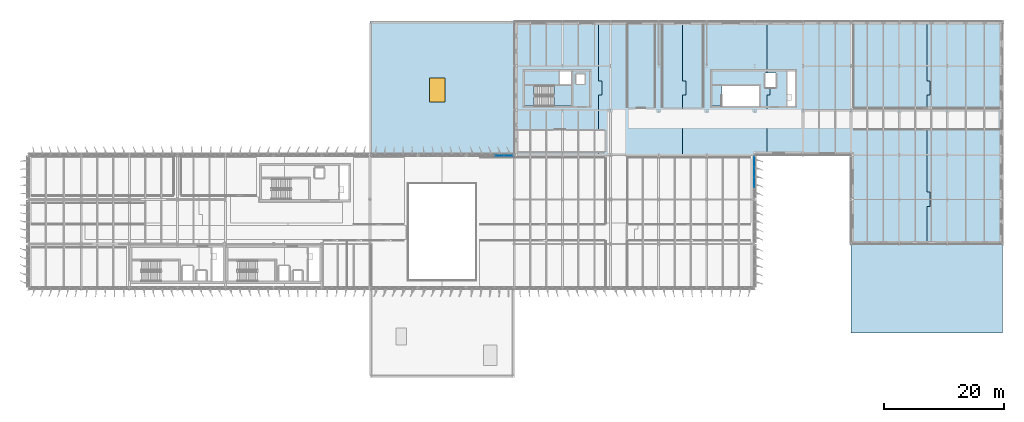
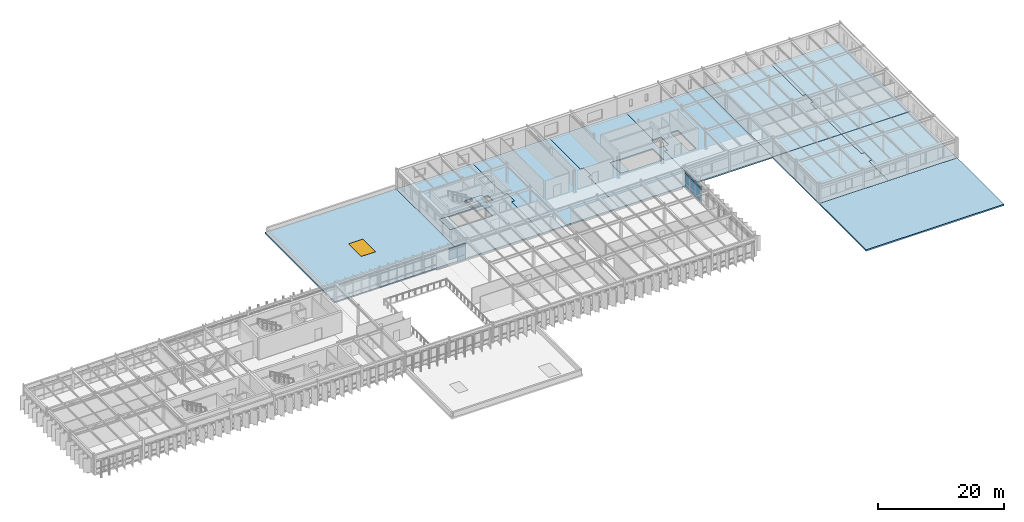
# One storey, part 34 of 56: 14 plates, 13 slabs, 1 window, 1 opening, 3 elements without a shape of their own.
"""IFC4 building model written with IfcOpenShell, lengths in metres."""

from ifc_helpers import new_model, si_unit, direction, frame, origin, origin_2d, place, context, subcontext, project, spatial, polyline, rectangle, outline, extrude, material, layer, layer_set, type_object, element, fill, aggregate, save


model = new_model("IFC4")

# Units and contexts
model_context = context("Model", 3, precision=1e-05, world=origin(), true_north=direction((0.0, 1.0)))
body_context = subcontext(model_context, "Body", "Model", "MODEL_VIEW")
ifc_project = project(units=[si_unit("LENGTHUNIT", "METRE"), si_unit("AREAUNIT", "SQUARE_METRE"), si_unit("VOLUMEUNIT", "CUBIC_METRE"), si_unit("PLANEANGLEUNIT", "RADIAN"), si_unit("MASSUNIT", "GRAM", prefix="KILO")], contexts=[model_context])

# Site, building, storey
site_placement = place(None, origin())
site = spatial("IfcSite", under=ifc_project, at=site_placement, CompositionType="ELEMENT")
building_placement = place(site_placement, origin())
building = spatial("IfcBuilding", under=site, at=building_placement, Name="Valkorina Park Police Headquarters", CompositionType="ELEMENT")
storey_placement = place(building_placement, frame((0.0, 0.0, 14.10009765625)))
storey = spatial("IfcBuildingStorey", under=building, at=storey_placement, Name="L04", CompositionType="ELEMENT", Elevation=14.10009765625)

# Curtain wall, plate
ifc_material_1 = material(Name="Thermally broken aluminium AW-6060", Category="aluminium")
ifc_layer_1 = layer(ifc_material_1, 0.18994140625)
ifc_layer_set_1 = layer_set([ifc_layer_1], Name="Thermally broken aluminium AW-6060")
curtain_wall_type_1 = type_object("IfcCurtainWallType", Name="CW-V5-7620x3180", PredefinedType="NOTDEFINED", material=ifc_layer_set_1)
curtain_wall_1_placement = place(storey_placement, origin())
curtain_wall_1 = element("IfcCurtainWall", 1, at=curtain_wall_1_placement, inside=storey, type_object=curtain_wall_type_1, Name="L04 Unitised Curtain Wall 039", PredefinedType="NOTDEFINED")
ifc_layer_2 = layer(ifc_material_1, 0.050048828125)
ifc_layer_set_2 = layer_set([ifc_layer_2], Name="Thermally broken aluminium AW-6060")
plate_type_1 = type_object("IfcPlateType", Name="PL-CWP-SPANDREL-50", PredefinedType="CURTAIN_PANEL", material=ifc_layer_set_2)
plate_1_placement = place(storey_placement, frame((79.832275390625, 59.080078125, 0.06982421875), z_axis=(0.0, 0.0, 1.0), x_axis=(1.0, 0.0, 0.0)))
plate_1 = element("IfcPlate", 2, at=plate_1_placement, type_object=plate_type_1, Name="CW-V5-762-318 panel 5.1", PredefinedType="CURTAIN_PANEL", context=body_context, shape_type="SweptSolid", body=[
    extrude(rectangle(XDim=1.419921875, YDim=0.028076171875, at=origin_2d()), origin(), (0.0, 0.0, 1.0), 0.794921875),
])

# Curtain wall, plates
ifc_layer_3 = layer(ifc_material_1, 0.18994140625)
ifc_layer_set_3 = layer_set([ifc_layer_3], Name="Thermally broken aluminium AW-6060")
curtain_wall_type_2 = type_object("IfcCurtainWallType", Name="CW-V5-6930x3110", PredefinedType="NOTDEFINED", material=ifc_layer_set_3)
curtain_wall_2_placement = place(storey_placement, origin())
curtain_wall_2 = element("IfcCurtainWall", 3, at=curtain_wall_2_placement, inside=storey, type_object=curtain_wall_type_2, Name="L04 Unitised Curtain Wall 040", PredefinedType="NOTDEFINED")
plate_2_placement = place(storey_placement, frame((120.679931640625, 58.081298828125, 0.06982421875), z_axis=(0.0, 0.0, 1.0), x_axis=(0.0, -1.0, 0.0)))
plate_2 = element("IfcPlate", 4, at=plate_2_placement, type_object=plate_type_1, Name="CW-V5-693-311 panel 1.1", PredefinedType="CURTAIN_PANEL", context=body_context, shape_type="SweptSolid", body=[
    extrude(rectangle(XDim=1.62744140625, YDim=0.028076171875, at=origin_2d()), origin(), (0.0, 0.0, 1.0), 0.794921875),
])
plate_3_placement = place(storey_placement, frame((120.679931640625, 56.3662109375, 0.06982421875), z_axis=(0.0, 0.0, 1.0), x_axis=(0.0, -1.0, 0.0)))
plate_3 = element("IfcPlate", 5, at=plate_3_placement, type_object=plate_type_1, Name="CW-V5-693-311 panel 2.1", PredefinedType="CURTAIN_PANEL", context=body_context, shape_type="SweptSolid", body=[
    extrude(rectangle(XDim=1.66259765625, YDim=0.028076171875, at=origin_2d()), origin(), (0.0, 0.0, 1.0), 0.794921875),
])
plate_4_placement = place(storey_placement, frame((120.679931640625, 54.6337890625, 0.06982421875), z_axis=(0.0, 0.0, 1.0), x_axis=(0.0, -1.0, 0.0)))
plate_4 = element("IfcPlate", 6, at=plate_4_placement, type_object=plate_type_1, Name="CW-V5-693-311 panel 3.1", PredefinedType="CURTAIN_PANEL", context=body_context, shape_type="SweptSolid", body=[
    extrude(rectangle(XDim=1.66259765625, YDim=0.028076171875, at=origin_2d()), origin(), (0.0, 0.0, 1.0), 0.794921875),
])

# Plate
ifc_material_2 = material(Name="Triple low-E insulated glazing", Category="glass")
ifc_layer_4 = layer(ifc_material_2, 0.028076171875)
ifc_layer_set_4 = layer_set([ifc_layer_4], Name="Triple low-E insulated glazing")
plate_type_2 = type_object("IfcPlateType", Name="PL-CWP-VISION-28", PredefinedType="CURTAIN_PANEL", material=ifc_layer_set_4)
plate_5_placement = place(storey_placement, frame((78.324951171875, 59.080078125, 0.934814453125), z_axis=(0.0, 0.0, 1.0), x_axis=(1.0, 0.0, 0.0)))
plate_5 = element("IfcPlate", 7, at=plate_5_placement, type_object=plate_type_2, Name="CW-V5-762-318 panel 4.2", PredefinedType="CURTAIN_PANEL", context=body_context, shape_type="SweptSolid", body=[
    extrude(rectangle(XDim=1.454833984375, YDim=0.028076171875, at=origin_2d()), origin(), (0.0, 0.0, 1.0), 1.68994140625),
])

plate_6_placement = place(storey_placement, frame((78.324951171875, 59.080078125, 2.69482421875), z_axis=(0.0, 0.0, 1.0), x_axis=(1.0, 0.0, 0.0)))
plate_6 = element("IfcPlate", 8, at=plate_6_placement, type_object=plate_type_2, Name="CW-V5-762-318 panel 4.3", PredefinedType="CURTAIN_PANEL", context=body_context, shape_type="SweptSolid", body=[
    extrude(rectangle(XDim=1.454833984375, YDim=0.028076171875, at=origin_2d()), origin(), (0.0, 0.0, 1.0), 0.4150390625),
])

plate_7_placement = place(storey_placement, frame((79.832275390625, 59.080078125, 0.934814453125), z_axis=(0.0, 0.0, 1.0), x_axis=(1.0, 0.0, 0.0)))
plate_7 = element("IfcPlate", 9, at=plate_7_placement, type_object=plate_type_2, Name="CW-V5-762-318 panel 5.2", PredefinedType="CURTAIN_PANEL", context=body_context, shape_type="SweptSolid", body=[
    extrude(rectangle(XDim=1.419921875, YDim=0.028076171875, at=origin_2d()), origin(), (0.0, 0.0, 1.0), 1.68994140625),
])

plate_8_placement = place(storey_placement, frame((79.832275390625, 59.080078125, 2.69482421875), z_axis=(0.0, 0.0, 1.0), x_axis=(1.0, 0.0, 0.0)))
plate_8 = element("IfcPlate", 10, at=plate_8_placement, type_object=plate_type_2, Name="CW-V5-762-318 panel 5.3", PredefinedType="CURTAIN_PANEL", context=body_context, shape_type="SweptSolid", body=[
    extrude(rectangle(XDim=1.419921875, YDim=0.028076171875, at=origin_2d()), origin(), (0.0, 0.0, 1.0), 0.4150390625),
])

aggregate(curtain_wall_1, [plate_5, plate_6, plate_1, plate_7, plate_8])

plate_9_placement = place(storey_placement, frame((120.679931640625, 58.081298828125, 0.934814453125), z_axis=(0.0, 0.0, 1.0), x_axis=(0.0, -1.0, 0.0)))
plate_9 = element("IfcPlate", 11, at=plate_9_placement, type_object=plate_type_2, Name="CW-V5-693-311 panel 1.2", PredefinedType="CURTAIN_PANEL", context=body_context, shape_type="SweptSolid", body=[
    extrude(rectangle(XDim=1.62744140625, YDim=0.028076171875, at=origin_2d()), origin(), (0.0, 0.0, 1.0), 1.6201171875),
])

plate_10_placement = place(storey_placement, frame((120.679931640625, 58.081298828125, 2.625), z_axis=(0.0, 0.0, 1.0), x_axis=(0.0, -1.0, 0.0)))
plate_10 = element("IfcPlate", 12, at=plate_10_placement, type_object=plate_type_2, Name="CW-V5-693-311 panel 1.3", PredefinedType="CURTAIN_PANEL", context=body_context, shape_type="SweptSolid", body=[
    extrude(rectangle(XDim=1.62744140625, YDim=0.028076171875, at=origin_2d()), origin(), (0.0, 0.0, 1.0), 0.4150390625),
])

plate_11_placement = place(storey_placement, frame((120.679931640625, 56.3662109375, 0.934814453125), z_axis=(0.0, 0.0, 1.0), x_axis=(0.0, -1.0, 0.0)))
plate_11 = element("IfcPlate", 13, at=plate_11_placement, type_object=plate_type_2, Name="CW-V5-693-311 panel 2.2", PredefinedType="CURTAIN_PANEL", context=body_context, shape_type="SweptSolid", body=[
    extrude(rectangle(XDim=1.66259765625, YDim=0.028076171875, at=origin_2d()), origin(), (0.0, 0.0, 1.0), 1.6201171875),
])

plate_12_placement = place(storey_placement, frame((120.679931640625, 56.3662109375, 2.625), z_axis=(0.0, 0.0, 1.0), x_axis=(0.0, -1.0, 0.0)))
plate_12 = element("IfcPlate", 14, at=plate_12_placement, type_object=plate_type_2, Name="CW-V5-693-311 panel 2.3", PredefinedType="CURTAIN_PANEL", context=body_context, shape_type="SweptSolid", body=[
    extrude(rectangle(XDim=1.66259765625, YDim=0.028076171875, at=origin_2d()), origin(), (0.0, 0.0, 1.0), 0.4150390625),
])

plate_13_placement = place(storey_placement, frame((120.679931640625, 54.6337890625, 0.934814453125), z_axis=(0.0, 0.0, 1.0), x_axis=(0.0, -1.0, 0.0)))
plate_13 = element("IfcPlate", 15, at=plate_13_placement, type_object=plate_type_2, Name="CW-V5-693-311 panel 3.2", PredefinedType="CURTAIN_PANEL", context=body_context, shape_type="SweptSolid", body=[
    extrude(rectangle(XDim=1.66259765625, YDim=0.028076171875, at=origin_2d()), origin(), (0.0, 0.0, 1.0), 1.6201171875),
])

plate_14_placement = place(storey_placement, frame((120.679931640625, 54.6337890625, 2.625), z_axis=(0.0, 0.0, 1.0), x_axis=(0.0, -1.0, 0.0)))
plate_14 = element("IfcPlate", 16, at=plate_14_placement, type_object=plate_type_2, Name="CW-V5-693-311 panel 3.3", PredefinedType="CURTAIN_PANEL", context=body_context, shape_type="SweptSolid", body=[
    extrude(rectangle(XDim=1.66259765625, YDim=0.028076171875, at=origin_2d()), origin(), (0.0, 0.0, 1.0), 0.4150390625),
])

aggregate(curtain_wall_2, [plate_2, plate_9, plate_10, plate_3, plate_11, plate_12, plate_4, plate_13, plate_14])

# Slabs
ifc_material_3 = material(Name="Concrete C35/45", Category="concrete")
ifc_layer_5 = layer(ifc_material_3, 0.2451171875)
ifc_layer_set_5 = layer_set([ifc_layer_5], Name="Concrete C35/45")
slab_type_1 = type_object("IfcSlabType", Name="SL-COMP-LAB-170", PredefinedType="FLOOR", material=ifc_layer_set_5)
slab_1_placement = place(storey_placement, frame((0.0, 0.0, -0.2451171875)))
element("IfcSlab", 17, at=slab_1_placement, inside=storey, type_object=slab_type_1, Name="L04 Structural Floor Slab 81", PredefinedType="FLOOR", context=body_context, shape_type="SweptSolid", body=[
    extrude(outline(polyline([(94.800048828125, 59.241943359375), (94.800048828125, 69.12109375), (95.35009765625, 69.12109375), (95.35009765625, 71.52099609375), (94.800048828125, 71.52099609375), (94.800048828125, 81.39990234375), (80.800048828125, 81.39990234375), (80.800048828125, 59.241943359375), (94.800048828125, 59.241943359375)]), holes=[polyline([(82.5, 67.300048828125), (82.5, 70.699951171875), (90.300048828125, 70.699951171875), (90.300048828125, 67.300048828125), (82.5, 67.300048828125)]), polyline([(91.10009765625, 71.0), (91.10009765625, 72.60009765625), (92.5, 72.60009765625), (92.5, 71.0), (91.10009765625, 71.0)]), polyline([(88.39990234375, 70.97998046875), (88.39990234375, 73.10009765625), (90.300048828125, 73.10009765625), (90.300048828125, 70.97998046875), (88.39990234375, 70.97998046875)])]), origin(), (0.0, 0.0, 1.0), 0.2451171875),
])
slab_2_placement = place(storey_placement, frame((0.0, 0.0, -0.2451171875)))
element("IfcSlab", 18, at=slab_2_placement, inside=storey, type_object=slab_type_1, Name="L04 Structural Floor Slab 82", PredefinedType="FLOOR", context=body_context, shape_type="SweptSolid", body=[
    extrude(outline(polyline([(108.800048828125, 81.39990234375), (94.800048828125, 81.39990234375), (94.800048828125, 71.52099609375), (95.35009765625, 71.52099609375), (95.35009765625, 69.12109375), (94.800048828125, 69.12109375), (94.800048828125, 59.241943359375), (108.800048828125, 59.241943359375), (108.800048828125, 69.12109375), (109.35009765625, 69.12109375), (109.35009765625, 71.52099609375), (108.800048828125, 71.52099609375), (108.800048828125, 81.39990234375)])), origin(), (0.0, 0.0, 1.0), 0.2451171875),
])
slab_3_placement = place(storey_placement, frame((0.0, 0.0, -0.2451171875)))
element("IfcSlab", 19, at=slab_3_placement, inside=storey, type_object=slab_type_1, Name="L04 Structural Floor Slab 83", PredefinedType="FLOOR", context=body_context, shape_type="SweptSolid", body=[
    extrude(outline(polyline([(122.800048828125, 81.39990234375), (108.800048828125, 81.39990234375), (108.800048828125, 71.52099609375), (109.35009765625, 71.52099609375), (109.35009765625, 69.12109375), (108.800048828125, 69.12109375), (108.800048828125, 59.241943359375), (122.800048828125, 59.241943359375), (122.800048828125, 69.12109375), (123.35009765625, 69.12109375), (123.35009765625, 70.39990234375), (122.5, 70.39990234375), (122.5, 72.800048828125), (122.800048828125, 72.800048828125), (122.800048828125, 81.39990234375)]), holes=[polyline([(113.699951171875, 67.300048828125), (113.699951171875, 70.699951171875), (121.5, 70.699951171875), (121.5, 67.300048828125), (113.699951171875, 67.300048828125)])]), origin(), (0.0, 0.0, 1.0), 0.2451171875),
])
slab_4_placement = place(storey_placement, frame((0.0, 0.0, -0.2451171875)))
element("IfcSlab", 20, at=slab_4_placement, inside=storey, type_object=slab_type_1, Name="L04 Structural Floor Slab 84", PredefinedType="FLOOR", context=body_context, shape_type="SweptSolid", body=[
    extrude(outline(polyline([(122.800048828125, 81.39990234375), (122.800048828125, 72.800048828125), (124.300048828125, 72.800048828125), (124.300048828125, 70.39990234375), (123.35009765625, 70.39990234375), (123.35009765625, 69.12109375), (122.800048828125, 69.12109375), (122.800048828125, 59.241943359375), (136.800048828125, 59.241943359375), (136.800048828125, 81.39990234375), (122.800048828125, 81.39990234375)]), holes=[polyline([(127.5, 67.300048828125), (126.199951171875, 67.300048828125), (126.199951171875, 73.10009765625), (127.5, 73.10009765625), (127.5, 67.300048828125)])]), origin(), (0.0, 0.0, 1.0), 0.2451171875),
])
slab_5_placement = place(storey_placement, frame((0.0, 0.0, -0.2451171875)))
element("IfcSlab", 21, at=slab_5_placement, inside=storey, type_object=slab_type_1, Name="L04 Structural Floor Slab 85", PredefinedType="FLOOR", context=body_context, shape_type="SweptSolid", body=[
    extrude(outline(polyline([(149.39990234375, 44.39990234375), (149.39990234375, 50.595947265625), (149.949951171875, 50.595947265625), (149.949951171875, 52.99609375), (149.39990234375, 52.99609375), (149.39990234375, 59.19189453125), (136.800048828125, 59.19189453125), (136.800048828125, 44.39990234375), (149.39990234375, 44.39990234375)])), origin(), (0.0, 0.0, 1.0), 0.2451171875),
])
slab_6_placement = place(storey_placement, frame((0.0, 0.0, -0.2451171875)))
element("IfcSlab", 22, at=slab_6_placement, inside=storey, type_object=slab_type_1, Name="L04 Structural Floor Slab 86", PredefinedType="FLOOR", context=body_context, shape_type="SweptSolid", body=[
    extrude(outline(polyline([(149.39990234375, 59.19189453125), (149.39990234375, 52.99609375), (149.949951171875, 52.99609375), (149.949951171875, 50.595947265625), (149.39990234375, 50.595947265625), (149.39990234375, 44.39990234375), (162.0, 44.39990234375), (162.0, 59.19189453125), (149.39990234375, 59.19189453125)])), origin(), (0.0, 0.0, 1.0), 0.2451171875),
])
slab_7_placement = place(storey_placement, frame((0.0, 0.0, -0.2451171875)))
element("IfcSlab", 23, at=slab_7_placement, inside=storey, type_object=slab_type_1, Name="L04 Structural Floor Slab 87", PredefinedType="FLOOR", context=body_context, shape_type="SweptSolid", body=[
    extrude(outline(polyline([(149.39990234375, 59.241943359375), (149.39990234375, 69.12109375), (149.949951171875, 69.12109375), (149.949951171875, 71.52099609375), (149.39990234375, 71.52099609375), (149.39990234375, 81.39990234375), (136.800048828125, 81.39990234375), (136.800048828125, 59.241943359375), (149.39990234375, 59.241943359375)])), origin(), (0.0, 0.0, 1.0), 0.2451171875),
])
slab_8_placement = place(storey_placement, frame((0.0, 0.0, -0.2451171875)))
element("IfcSlab", 24, at=slab_8_placement, inside=storey, type_object=slab_type_1, Name="L04 Structural Floor Slab 88", PredefinedType="FLOOR", context=body_context, shape_type="SweptSolid", body=[
    extrude(outline(polyline([(149.39990234375, 81.39990234375), (149.39990234375, 71.52099609375), (149.949951171875, 71.52099609375), (149.949951171875, 69.12109375), (149.39990234375, 69.12109375), (149.39990234375, 59.241943359375), (162.0, 59.241943359375), (162.0, 81.39990234375), (149.39990234375, 81.39990234375)])), origin(), (0.0, 0.0, 1.0), 0.2451171875),
])

# Stair, slab
stair_type = type_object("IfcStairType", Name="ST-DOGLEG-160-40", PredefinedType="HALF_TURN_STAIR", material=ifc_material_3)
stair_placement = place(storey_placement, origin())
stair = element("IfcStair", 25, at=stair_placement, inside=storey, type_object=stair_type, Name="L04 Core C6 Protected Stair (ST-05)", PredefinedType="HALF_TURN_STAIR")
ifc_layer_6 = layer(ifc_material_3, 0.22998046875)
ifc_layer_set_6 = layer_set([ifc_layer_6], Name="Concrete C35/45")
slab_type_2 = type_object("IfcSlabType", Name="SL-LANDING-230", PredefinedType="LANDING", material=ifc_layer_set_6)
slab_9_placement = place(storey_placement, frame((0.0, 0.0, 1.77001953125)))
slab_9 = element("IfcSlab", 26, at=slab_9_placement, type_object=slab_type_2, Name="ST-05 landing 1", PredefinedType="LANDING", context=body_context, shape_type="SweptSolid", body=[
    extrude(outline(polyline([(87.39990234375, 67.300048828125), (90.300048828125, 67.300048828125), (90.300048828125, 70.699951171875), (87.39990234375, 70.699951171875), (87.39990234375, 67.300048828125)])), origin(), (0.0, 0.0, 1.0), 0.22998046875),
])
aggregate(stair, [slab_9])

# Slab, opening, window
ifc_layer_7 = layer(ifc_material_3, 0.280029296875)
ifc_layer_set_7 = layer_set([ifc_layer_7], Name="Concrete C35/45")
slab_type_3 = type_object("IfcSlabType", Name="SL-ROOF-FLAT-280", PredefinedType="ROOF", material=ifc_layer_set_7)
slab_10_placement = place(storey_placement, frame((0.0, 0.0, -0.280029296875)))
slab_10 = element("IfcSlab", 27, at=slab_10_placement, inside=storey, type_object=slab_type_3, Name="L04 Flat Roof Deck SLAB-L04-ROOF-V4N", PredefinedType="ROOF", context=body_context, shape_type="SweptSolid", body=[
    extrude(outline(polyline([(56.800048828125, 59.241943359375), (80.800048828125, 59.241943359375), (80.800048828125, 81.39990234375), (56.800048828125, 81.39990234375), (56.800048828125, 59.241943359375)])), origin(), (0.0, 0.0, 1.0), 0.280029296875),
])
opening_placement = place(slab_10_placement, frame((68.0, 70.0, -0.010009765625)))
opening = element("IfcOpeningElement", 28, at=opening_placement, cuts=slab_10, Name="Opening SK-03", PredefinedType="OPENING", context=body_context, shape_type="SweptSolid", body=[
    extrude(rectangle(XDim=2.60009765625, YDim=4.0, at=origin_2d()), origin(), (0.0, 0.0, 1.0), 0.300048828125),
])
ifc_layer_8 = layer(ifc_material_2, 0.06005859375)
ifc_layer_set_8 = layer_set([ifc_layer_8], Name="Triple low-E insulated glazing")
window_type = type_object("IfcWindowType", Name="SK-SAW-2600x4000", PartitioningType="SINGLE_PANEL", PredefinedType="SKYLIGHT", material=ifc_layer_set_8)
window_placement = place(slab_10_placement, frame((68.0, 70.0, 0.22998046875)))
window = element("IfcWindow", 29, at=window_placement, inside=storey, type_object=window_type, Name="L04 Roof Skylight and Hatch 4", OverallHeight=4.0, OverallWidth=2.60009765625, PartitioningType="SINGLE_PANEL", PredefinedType="SKYLIGHT", context=body_context, shape_type="SweptSolid", body=[
    extrude(rectangle(XDim=2.60009765625, YDim=4.0, at=origin_2d()), origin(), (0.0, 0.0, 1.0), 0.050048828125),
])
fill(opening, window)

# Slabs
slab_11_placement = place(storey_placement, frame((0.0, 0.0, -0.280029296875)))
element("IfcSlab", 30, at=slab_11_placement, inside=storey, type_object=slab_type_3, Name="L04 Flat Roof Deck SLAB-L04-ROOF-V6S", PredefinedType="ROOF", context=body_context, shape_type="SweptSolid", body=[
    extrude(outline(polyline([(162.0, 29.60009765625), (162.0, 44.39990234375), (136.800048828125, 44.39990234375), (136.800048828125, 29.60009765625), (162.0, 29.60009765625)])), origin(), (0.0, 0.0, 1.0), 0.280029296875),
])
ifc_material_4 = material(Name="Concrete C40/50", Category="concrete")
ifc_layer_9 = layer(ifc_material_4, 0.300048828125)
ifc_layer_set_9 = layer_set([ifc_layer_9], Name="Concrete C40/50")
slab_type_4 = type_object("IfcSlabType", Name="SL-VAULT-300", PredefinedType="FLOOR", material=ifc_layer_set_9)
slab_12_placement = place(storey_placement, frame((0.0, 0.0, -0.300048828125)))
element("IfcSlab", 31, at=slab_12_placement, inside=storey, type_object=slab_type_4, Name="L04 Core C5 Structural Floor Landing Slab", PredefinedType="FLOOR", context=body_context, shape_type="SweptSolid", body=[
    extrude(outline(polyline([(113.699951171875, 67.300048828125), (115.300048828125, 67.300048828125), (115.300048828125, 70.699951171875), (113.699951171875, 70.699951171875), (113.699951171875, 67.300048828125)])), origin(), (0.0, 0.0, 1.0), 0.300048828125),
])
slab_13_placement = place(storey_placement, frame((0.0, 0.0, -0.300048828125)))
element("IfcSlab", 32, at=slab_13_placement, inside=storey, type_object=slab_type_4, Name="L04 Core C6 Structural Floor Landing Slab", PredefinedType="FLOOR", context=body_context, shape_type="SweptSolid", body=[
    extrude(outline(polyline([(82.5, 67.300048828125), (84.10009765625, 67.300048828125), (84.10009765625, 70.699951171875), (82.5, 70.699951171875), (82.5, 67.300048828125)])), origin(), (0.0, 0.0, 1.0), 0.300048828125),
])

save(model, "model.ifc")
